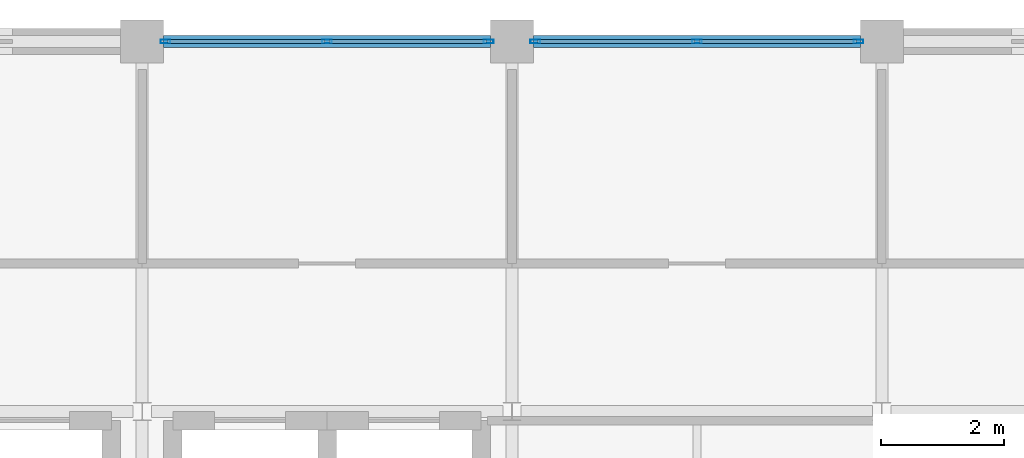
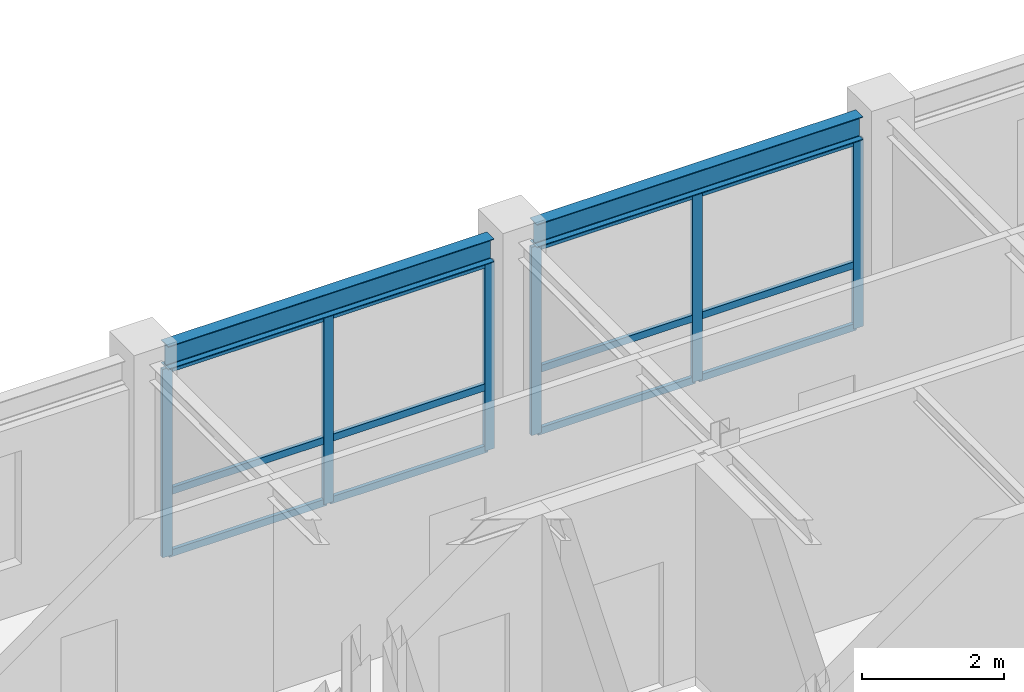
# One storey, part 6 of 11: 18 members, 2 beams, 2 elements without a shape of their own.
"""IFC4 building model written with IfcOpenShell, lengths in metres."""

from ifc_helpers import new_model, si_unit, direction, frame, origin, origin_2d, place, context, subcontext, project, spatial, hollow_rectangle, i_section, extrude, material, layer, layer_set, material_profile, profile_set, type_object, element, aggregate, save


model = new_model("IFC4")

# Units and contexts
model_context = context("Model", 3, precision=1e-05, world=origin(), true_north=direction((0.0, 1.0)))
body_context = subcontext(model_context, "Body", "Model", "MODEL_VIEW")
ifc_project = project(units=[si_unit("LENGTHUNIT", "METRE"), si_unit("AREAUNIT", "SQUARE_METRE"), si_unit("VOLUMEUNIT", "CUBIC_METRE"), si_unit("PLANEANGLEUNIT", "RADIAN"), si_unit("MASSUNIT", "GRAM", prefix="KILO")], contexts=[model_context])

# Site, building, storey
site_placement = place(None, origin())
site = spatial("IfcSite", under=ifc_project, at=site_placement, CompositionType="ELEMENT")
building_placement = place(site_placement, origin())
building = spatial("IfcBuilding", under=site, at=building_placement, Name="Zlatovratsky Civic Hall", CompositionType="ELEMENT")
storey_placement = place(building_placement, frame((0.0, 0.0, 63.89990234375)))
storey = spatial("IfcBuildingStorey", under=building, at=storey_placement, Name="L16", CompositionType="ELEMENT", Elevation=63.89990234375)

# Beams
ifc_material_1 = material(Name="Steel S355", Category="steel")
ifc_material_profile_1 = material_profile(ifc_material_1, i_section(OverallWidth=0.199951171875, OverallDepth=0.39990234375, WebThickness=0.008056640625, FlangeThickness=0.012939453125, FilletRadius=0.014892578125, at=origin_2d()), Name="40B2")
ifc_profile_set_1 = profile_set([ifc_material_profile_1], Name="Steel S355")
beam_type = type_object("IfcBeamType", Name="Beam_Spandrel_40B2", PredefinedType="SPANDREL", material=ifc_profile_set_1)
for number, where, z_axis, x_axis, name in (
    (1, (78.35009765625, 102.0, 3.460205078125), (1.0, 0.0, 0.0), (0.0, 1.0, 0.0), "BM-5150"),
    (2, (84.35009765625, 102.0, 3.460205078125), (1.0, 0.0, 0.0), (0.0, 1.0, 0.0), "BM-5151"),
):
    element("IfcBeam", number, at=place(storey_placement, frame(where, z_axis=z_axis, x_axis=x_axis)), inside=storey, type_object=beam_type, Name=name, PredefinedType="SPANDREL", context=body_context, shape_type="SweptSolid", body=[
        extrude(i_section(OverallWidth=0.199951171875, OverallDepth=0.39990234375, WebThickness=0.008056640625, FlangeThickness=0.012939453125, FilletRadius=0.014892578125, at=origin_2d()), origin(), (0.0, 0.0, 1.0), 5.2998046875),
    ])

# Curtain wall, members
ifc_material_2 = material(Name="Anodised bronze aluminium", Category="aluminium")
ifc_layer = layer(ifc_material_2, 0.159912109375)
ifc_layer_set = layer_set([ifc_layer], Name="Anodised bronze aluminium")
curtain_wall_type = type_object("IfcCurtainWallType", Name="CurtainWall_Bronze_5300x3240_24", PredefinedType="NOTDEFINED", material=ifc_layer_set)
curtain_wall_1_placement = place(storey_placement, origin())
curtain_wall_1 = element("IfcCurtainWall", 3, at=curtain_wall_1_placement, inside=storey, type_object=curtain_wall_type, Name="CW-175", PredefinedType="NOTDEFINED")
ifc_material_profile_2 = material_profile(ifc_material_2, hollow_rectangle(XDim=0.06005859375, YDim=0.159912109375, WallThickness=0.00390625, at=origin_2d()), Name="ALU 60x160x4")
ifc_profile_set_2 = profile_set([ifc_material_profile_2], Name="Anodised bronze aluminium")
member_type_1 = type_object("IfcMemberType", Name="CW_Mullion_60x160", PredefinedType="MULLION", material=ifc_profile_set_2)
member_1_placement = place(storey_placement, frame((78.3798828125, 102.0, 0.0), z_axis=(0.0, 0.0, 1.0), x_axis=(0.0, 1.0, 0.0)))
member_1 = element("IfcMember", 4, at=member_1_placement, type_object=member_type_1, Name="CW-24 mullion 1", PredefinedType="MULLION", context=body_context, shape_type="SweptSolid", body=[
    extrude(hollow_rectangle(XDim=0.06005859375, YDim=0.159912109375, WallThickness=0.00390625, at=origin_2d()), origin(), (0.0, 0.0, 1.0), 3.239990234375),
])
member_2_placement = place(storey_placement, frame((81.0, 102.0, 0.0), z_axis=(0.0, 0.0, 1.0), x_axis=(0.0, 1.0, 0.0)))
member_2 = element("IfcMember", 5, at=member_2_placement, type_object=member_type_1, Name="CW-24 mullion 2", PredefinedType="MULLION", context=body_context, shape_type="SweptSolid", body=[
    extrude(hollow_rectangle(XDim=0.06005859375, YDim=0.159912109375, WallThickness=0.00390625, at=origin_2d()), origin(), (0.0, 0.0, 1.0), 3.239990234375),
])
member_3_placement = place(storey_placement, frame((83.6201171875, 102.0, 0.0), z_axis=(0.0, 0.0, 1.0), x_axis=(0.0, 1.0, 0.0)))
member_3 = element("IfcMember", 6, at=member_3_placement, type_object=member_type_1, Name="CW-24 mullion 3", PredefinedType="MULLION", context=body_context, shape_type="SweptSolid", body=[
    extrude(hollow_rectangle(XDim=0.06005859375, YDim=0.159912109375, WallThickness=0.00390625, at=origin_2d()), origin(), (0.0, 0.0, 1.0), 3.239990234375),
])

curtain_wall_2_placement = place(storey_placement, origin())
curtain_wall_2 = element("IfcCurtainWall", 7, at=curtain_wall_2_placement, inside=storey, type_object=curtain_wall_type, Name="CW-176", PredefinedType="NOTDEFINED")
member_4_placement = place(storey_placement, frame((84.3798828125, 102.0, 0.0), z_axis=(0.0, 0.0, 1.0), x_axis=(0.0, 1.0, 0.0)))
member_4 = element("IfcMember", 8, at=member_4_placement, type_object=member_type_1, Name="CW-24 mullion 1", PredefinedType="MULLION", context=body_context, shape_type="SweptSolid", body=[
    extrude(hollow_rectangle(XDim=0.06005859375, YDim=0.159912109375, WallThickness=0.00390625, at=origin_2d()), origin(), (0.0, 0.0, 1.0), 3.239990234375),
])
member_5_placement = place(storey_placement, frame((87.0, 102.0, 0.0), z_axis=(0.0, 0.0, 1.0), x_axis=(0.0, 1.0, 0.0)))
member_5 = element("IfcMember", 9, at=member_5_placement, type_object=member_type_1, Name="CW-24 mullion 2", PredefinedType="MULLION", context=body_context, shape_type="SweptSolid", body=[
    extrude(hollow_rectangle(XDim=0.06005859375, YDim=0.159912109375, WallThickness=0.00390625, at=origin_2d()), origin(), (0.0, 0.0, 1.0), 3.239990234375),
])
member_6_placement = place(storey_placement, frame((89.6201171875, 102.0, 0.0), z_axis=(0.0, 0.0, 1.0), x_axis=(0.0, 1.0, 0.0)))
member_6 = element("IfcMember", 10, at=member_6_placement, type_object=member_type_1, Name="CW-24 mullion 3", PredefinedType="MULLION", context=body_context, shape_type="SweptSolid", body=[
    extrude(hollow_rectangle(XDim=0.06005859375, YDim=0.159912109375, WallThickness=0.00390625, at=origin_2d()), origin(), (0.0, 0.0, 1.0), 3.239990234375),
])

# Member
ifc_material_profile_3 = material_profile(ifc_material_2, hollow_rectangle(XDim=0.06005859375, YDim=0.1201171875, WallThickness=0.00390625, at=origin_2d()), Name="ALU 60x120x4")
ifc_profile_set_3 = profile_set([ifc_material_profile_3], Name="Anodised bronze aluminium")
member_type_2 = type_object("IfcMemberType", Name="CW_Transom_60x120", PredefinedType="USERDEFINED", material=ifc_profile_set_3)
member_7_placement = place(storey_placement, frame((78.409912109375, 102.0, 0.030029296875), z_axis=(1.0, 0.0, 0.0), x_axis=(0.0, 1.0, 0.0)))
member_7 = element("IfcMember", 11, at=member_7_placement, type_object=member_type_2, Name="CW-24 transom 1.1", ObjectType="TRANSOM", PredefinedType="USERDEFINED", context=body_context, shape_type="SweptSolid", body=[
    extrude(hollow_rectangle(XDim=0.06005859375, YDim=0.1201171875, WallThickness=0.00390625, at=origin_2d()), origin(), (0.0, 0.0, 1.0), 2.56005859375),
])

member_8_placement = place(storey_placement, frame((78.409912109375, 102.0, 1.10009765625), z_axis=(1.0, 0.0, 0.0), x_axis=(0.0, 1.0, 0.0)))
member_8 = element("IfcMember", 12, at=member_8_placement, type_object=member_type_2, Name="CW-24 transom 1.2", ObjectType="TRANSOM", PredefinedType="USERDEFINED", context=body_context, shape_type="SweptSolid", body=[
    extrude(hollow_rectangle(XDim=0.06005859375, YDim=0.1201171875, WallThickness=0.00390625, at=origin_2d()), origin(), (0.0, 0.0, 1.0), 2.56005859375),
])

member_9_placement = place(storey_placement, frame((78.409912109375, 102.0, 3.210205078125), z_axis=(1.0, 0.0, 0.0), x_axis=(0.0, 1.0, 0.0)))
member_9 = element("IfcMember", 13, at=member_9_placement, type_object=member_type_2, Name="CW-24 transom 1.3", ObjectType="TRANSOM", PredefinedType="USERDEFINED", context=body_context, shape_type="SweptSolid", body=[
    extrude(hollow_rectangle(XDim=0.06005859375, YDim=0.1201171875, WallThickness=0.00390625, at=origin_2d()), origin(), (0.0, 0.0, 1.0), 2.56005859375),
])

member_10_placement = place(storey_placement, frame((81.030029296875, 102.0, 0.030029296875), z_axis=(1.0, 0.0, 0.0), x_axis=(0.0, 1.0, 0.0)))
member_10 = element("IfcMember", 14, at=member_10_placement, type_object=member_type_2, Name="CW-24 transom 2.1", ObjectType="TRANSOM", PredefinedType="USERDEFINED", context=body_context, shape_type="SweptSolid", body=[
    extrude(hollow_rectangle(XDim=0.06005859375, YDim=0.1201171875, WallThickness=0.00390625, at=origin_2d()), origin(), (0.0, 0.0, 1.0), 2.56005859375),
])

member_11_placement = place(storey_placement, frame((81.030029296875, 102.0, 1.10009765625), z_axis=(1.0, 0.0, 0.0), x_axis=(0.0, 1.0, 0.0)))
member_11 = element("IfcMember", 15, at=member_11_placement, type_object=member_type_2, Name="CW-24 transom 2.2", ObjectType="TRANSOM", PredefinedType="USERDEFINED", context=body_context, shape_type="SweptSolid", body=[
    extrude(hollow_rectangle(XDim=0.06005859375, YDim=0.1201171875, WallThickness=0.00390625, at=origin_2d()), origin(), (0.0, 0.0, 1.0), 2.56005859375),
])

member_12_placement = place(storey_placement, frame((81.030029296875, 102.0, 3.210205078125), z_axis=(1.0, 0.0, 0.0), x_axis=(0.0, 1.0, 0.0)))
member_12 = element("IfcMember", 16, at=member_12_placement, type_object=member_type_2, Name="CW-24 transom 2.3", ObjectType="TRANSOM", PredefinedType="USERDEFINED", context=body_context, shape_type="SweptSolid", body=[
    extrude(hollow_rectangle(XDim=0.06005859375, YDim=0.1201171875, WallThickness=0.00390625, at=origin_2d()), origin(), (0.0, 0.0, 1.0), 2.56005859375),
])

aggregate(curtain_wall_1, [member_1, member_2, member_3, member_7, member_8, member_9, member_10, member_11, member_12])

member_13_placement = place(storey_placement, frame((84.409912109375, 102.0, 0.030029296875), z_axis=(1.0, 0.0, 0.0), x_axis=(0.0, 1.0, 0.0)))
member_13 = element("IfcMember", 17, at=member_13_placement, type_object=member_type_2, Name="CW-24 transom 1.1", ObjectType="TRANSOM", PredefinedType="USERDEFINED", context=body_context, shape_type="SweptSolid", body=[
    extrude(hollow_rectangle(XDim=0.06005859375, YDim=0.1201171875, WallThickness=0.00390625, at=origin_2d()), origin(), (0.0, 0.0, 1.0), 2.56005859375),
])

member_14_placement = place(storey_placement, frame((84.409912109375, 102.0, 1.10009765625), z_axis=(1.0, 0.0, 0.0), x_axis=(0.0, 1.0, 0.0)))
member_14 = element("IfcMember", 18, at=member_14_placement, type_object=member_type_2, Name="CW-24 transom 1.2", ObjectType="TRANSOM", PredefinedType="USERDEFINED", context=body_context, shape_type="SweptSolid", body=[
    extrude(hollow_rectangle(XDim=0.06005859375, YDim=0.1201171875, WallThickness=0.00390625, at=origin_2d()), origin(), (0.0, 0.0, 1.0), 2.56005859375),
])

member_15_placement = place(storey_placement, frame((84.409912109375, 102.0, 3.210205078125), z_axis=(1.0, 0.0, 0.0), x_axis=(0.0, 1.0, 0.0)))
member_15 = element("IfcMember", 19, at=member_15_placement, type_object=member_type_2, Name="CW-24 transom 1.3", ObjectType="TRANSOM", PredefinedType="USERDEFINED", context=body_context, shape_type="SweptSolid", body=[
    extrude(hollow_rectangle(XDim=0.06005859375, YDim=0.1201171875, WallThickness=0.00390625, at=origin_2d()), origin(), (0.0, 0.0, 1.0), 2.56005859375),
])

member_16_placement = place(storey_placement, frame((87.030029296875, 102.0, 0.030029296875), z_axis=(1.0, 0.0, 0.0), x_axis=(0.0, 1.0, 0.0)))
member_16 = element("IfcMember", 20, at=member_16_placement, type_object=member_type_2, Name="CW-24 transom 2.1", ObjectType="TRANSOM", PredefinedType="USERDEFINED", context=body_context, shape_type="SweptSolid", body=[
    extrude(hollow_rectangle(XDim=0.06005859375, YDim=0.1201171875, WallThickness=0.00390625, at=origin_2d()), origin(), (0.0, 0.0, 1.0), 2.56005859375),
])

member_17_placement = place(storey_placement, frame((87.030029296875, 102.0, 1.10009765625), z_axis=(1.0, 0.0, 0.0), x_axis=(0.0, 1.0, 0.0)))
member_17 = element("IfcMember", 21, at=member_17_placement, type_object=member_type_2, Name="CW-24 transom 2.2", ObjectType="TRANSOM", PredefinedType="USERDEFINED", context=body_context, shape_type="SweptSolid", body=[
    extrude(hollow_rectangle(XDim=0.06005859375, YDim=0.1201171875, WallThickness=0.00390625, at=origin_2d()), origin(), (0.0, 0.0, 1.0), 2.56005859375),
])

member_18_placement = place(storey_placement, frame((87.030029296875, 102.0, 3.210205078125), z_axis=(1.0, 0.0, 0.0), x_axis=(0.0, 1.0, 0.0)))
member_18 = element("IfcMember", 22, at=member_18_placement, type_object=member_type_2, Name="CW-24 transom 2.3", ObjectType="TRANSOM", PredefinedType="USERDEFINED", context=body_context, shape_type="SweptSolid", body=[
    extrude(hollow_rectangle(XDim=0.06005859375, YDim=0.1201171875, WallThickness=0.00390625, at=origin_2d()), origin(), (0.0, 0.0, 1.0), 2.56005859375),
])

aggregate(curtain_wall_2, [member_4, member_5, member_6, member_13, member_14, member_15, member_16, member_17, member_18])

save(model, "model.ifc")
